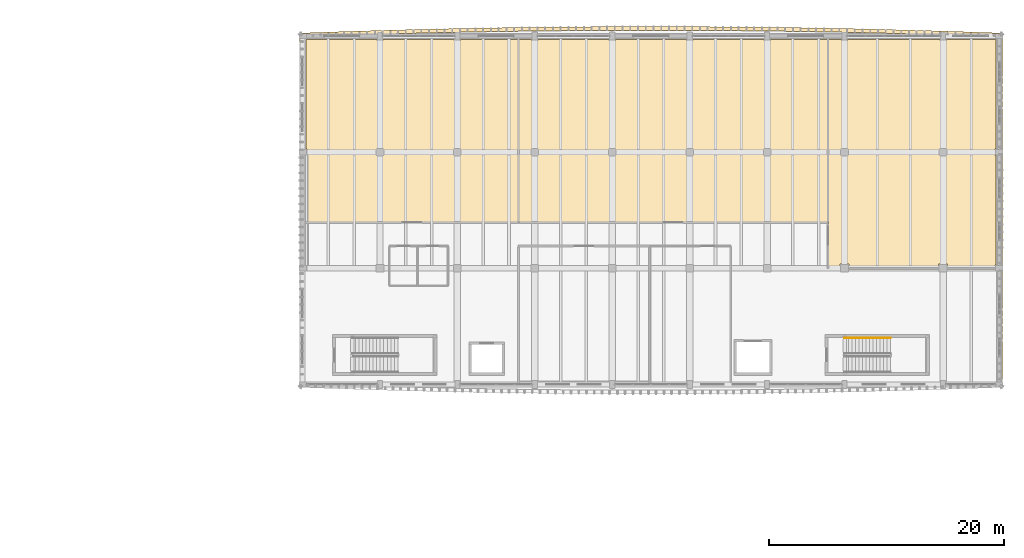
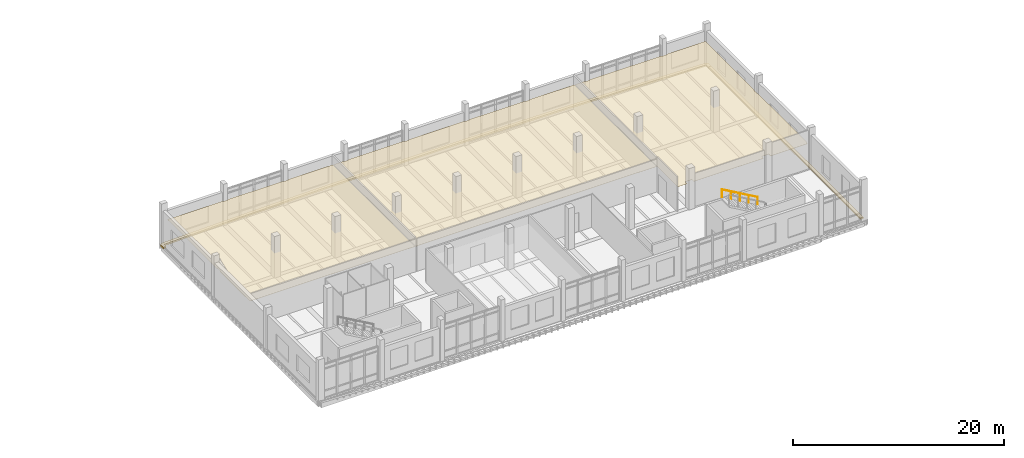
# One storey, part 42 of 50: 5 coverings, 1 railing.
"""IFC4 building model written with IfcOpenShell, lengths in metres."""

from ifc_helpers import new_model, si_unit, direction, frame, origin, origin_2d, place, context, subcontext, project, spatial, polyline, circle, outline, extrude, material, layer, layer_set, type_object, element, save


model = new_model("IFC4")

# Units and contexts
model_context = context("Model", 3, precision=1e-05, world=origin(), true_north=direction((0.0, 1.0)))
body_context = subcontext(model_context, "Body", "Model", "MODEL_VIEW")
ifc_project = project(units=[si_unit("LENGTHUNIT", "METRE"), si_unit("AREAUNIT", "SQUARE_METRE"), si_unit("VOLUMEUNIT", "CUBIC_METRE"), si_unit("PLANEANGLEUNIT", "RADIAN"), si_unit("MASSUNIT", "GRAM", prefix="KILO")], contexts=[model_context])

# Site, building, storey
site_placement = place(None, origin())
site = spatial("IfcSite", under=ifc_project, at=site_placement, CompositionType="ELEMENT")
building_placement = place(site_placement, origin())
building = spatial("IfcBuilding", under=site, at=building_placement, Name="Dornvale Research Institute", CompositionType="ELEMENT")
storey_placement = place(building_placement, frame((0.0, 0.0, 19.800048828125)))
storey = spatial("IfcBuildingStorey", under=building, at=storey_placement, Name="L04", CompositionType="ELEMENT", Elevation=19.800048828125)

# Coverings
ifc_material_1 = material(Name="Mineral-Fibre Acoustic Lay-In Ceiling Tile System")
ifc_layer_1 = layer(ifc_material_1, 0.02001953125)
ifc_layer_set_1 = layer_set([ifc_layer_1], Name="Mineral-Fibre Acoustic Lay-In Ceiling Tile System")
covering_type_1 = type_object("IfcCoveringType", Name="Covering_Acoustic_Ceiling", PredefinedType="CEILING", material=ifc_layer_set_1)
covering_1_placement = place(storey_placement, frame((0.0, 0.0, 2.849853515625)))
element("IfcCovering", 1, at=covering_1_placement, inside=storey, type_object=covering_type_1, Name="L04 Environmental Geochemistry Wet Laboratory suspended ceiling", PredefinedType="CEILING", context=body_context, shape_type="SweptSolid", body=[
    extrude(outline(polyline([(119.10009765625, 112.47509765625), (119.10009765625, 121.800048828125), (125.125, 121.800048828125), (125.125, 121.72509765625), (125.675048828125, 121.72509765625), (125.675048828125, 121.800048828125), (131.72509765625, 121.800048828125), (131.72509765625, 121.72509765625), (132.27490234375, 121.72509765625), (132.27490234375, 121.800048828125), (137.179931640625, 121.800048828125), (137.179931640625, 106.219970703125), (119.10009765625, 106.219970703125), (119.10009765625, 111.925048828125), (119.175048828125, 111.925048828125), (119.175048828125, 112.47509765625), (119.10009765625, 112.47509765625)])), origin(), (0.0, 0.0, 1.0), 0.02001953125),
])
covering_2_placement = place(storey_placement, frame((0.0, 0.0, 2.849853515625)))
element("IfcCovering", 2, at=covering_2_placement, inside=storey, type_object=covering_type_1, Name="L04 Biomolecular NMR Spectroscopy Suite suspended ceiling", PredefinedType="CEILING", context=body_context, shape_type="SweptSolid", body=[
    extrude(outline(polyline([(138.875, 121.72509765625), (138.875, 121.800048828125), (144.925048828125, 121.800048828125), (144.925048828125, 121.72509765625), (145.47509765625, 121.72509765625), (145.47509765625, 121.800048828125), (151.52490234375, 121.800048828125), (151.52490234375, 121.72509765625), (152.074951171875, 121.72509765625), (152.074951171875, 121.800048828125), (158.125, 121.800048828125), (158.125, 121.72509765625), (158.675048828125, 121.72509765625), (158.675048828125, 121.800048828125), (163.580078125, 121.800048828125), (163.580078125, 106.219970703125), (137.219970703125, 106.219970703125), (137.219970703125, 121.800048828125), (138.324951171875, 121.800048828125), (138.324951171875, 121.72509765625), (138.875, 121.72509765625)])), origin(), (0.0, 0.0, 1.0), 0.02001953125),
])
covering_3_placement = place(storey_placement, frame((0.0, 0.0, 2.849853515625)))
element("IfcCovering", 3, at=covering_3_placement, inside=storey, type_object=covering_type_1, Name="L04 Isotope Preparation and Seminar Room L04 suspended ceiling", PredefinedType="CEILING", context=body_context, shape_type="SweptSolid", body=[
    extrude(outline(polyline([(165.27490234375, 121.72509765625), (165.27490234375, 121.800048828125), (173.125, 121.800048828125), (173.125, 121.72509765625), (173.675048828125, 121.72509765625), (173.675048828125, 121.800048828125), (177.89990234375, 121.800048828125), (177.89990234375, 112.47509765625), (177.824951171875, 112.47509765625), (177.824951171875, 111.925048828125), (177.89990234375, 111.925048828125), (177.89990234375, 102.574951171875), (177.824951171875, 102.574951171875), (177.824951171875, 102.320068359375), (173.77490234375, 102.320068359375), (173.77490234375, 102.675048828125), (173.02490234375, 102.675048828125), (173.02490234375, 102.320068359375), (165.375, 102.320068359375), (165.375, 102.675048828125), (164.625, 102.675048828125), (164.625, 102.320068359375), (163.6201171875, 102.320068359375), (163.6201171875, 121.800048828125), (164.72509765625, 121.800048828125), (164.72509765625, 121.72509765625), (165.27490234375, 121.72509765625)])), origin(), (0.0, 0.0, 1.0), 0.02001953125),
])
ifc_material_2 = material(Name="Polychrome Glazed Terracotta Visor Rib Ceramic", Category="masonry")
ifc_layer_2 = layer(ifc_material_2, 0.179931640625)
ifc_layer_set_2 = layer_set([ifc_layer_2], Name="Polychrome Glazed Terracotta Visor Rib Ceramic")
covering_type_2 = type_object("IfcCoveringType", Name="Covering_VisorBrim_LowShelf", PredefinedType="CLADDING", material=ifc_layer_set_2)
covering_4_placement = place(storey_placement, frame((0.0, 0.0, -0.260009765625)))
element("IfcCovering", 4, at=covering_4_placement, inside=storey, type_object=covering_type_2, Name="L04 V4 canted bowed-brim visor hood #57", PredefinedType="CLADDING", context=body_context, shape_type="SweptSolid", body=[
    extrude(outline(polyline([(118.5595703125, 122.197021484375), (118.613525390625, 122.280029296875), (118.6943359375, 122.336669921875), (118.790771484375, 122.35888671875), (120.440673828125, 122.41845703125), (120.441162109375, 122.41845703125), (122.09130859375, 122.474609375), (122.091796875, 122.474609375), (123.74169921875, 122.527099609375), (123.7421875, 122.527099609375), (125.392333984375, 122.576416015625), (125.392822265625, 122.576416015625), (127.042724609375, 122.622314453125), (127.043212890625, 122.622314453125), (128.693359375, 122.664794921875), (128.69384765625, 122.664794921875), (130.343994140625, 122.70361328125), (130.344482421875, 122.70361328125), (131.994384765625, 122.7392578125), (131.994873046875, 122.739501953125), (133.64501953125, 122.771728515625), (133.6455078125, 122.771728515625), (135.29541015625, 122.800537109375), (135.2958984375, 122.800537109375), (136.946044921875, 122.825927734375), (136.946533203125, 122.825927734375), (138.596435546875, 122.84814453125), (138.59716796875, 122.84814453125), (140.2470703125, 122.86669921875), (140.24755859375, 122.86669921875), (141.897705078125, 122.882080078125), (141.898193359375, 122.882080078125), (143.548095703125, 122.893798828125), (143.548583984375, 122.893798828125), (145.19873046875, 122.90234375), (145.19921875, 122.90234375), (146.84912109375, 122.907470703125), (146.849609375, 122.907470703125), (148.499755859375, 122.9091796875), (148.500244140625, 122.9091796875), (150.150390625, 122.907470703125), (150.15087890625, 122.907470703125), (151.80078125, 122.90234375), (151.80126953125, 122.90234375), (153.451416015625, 122.893798828125), (153.451904296875, 122.893798828125), (155.101806640625, 122.882080078125), (155.102294921875, 122.882080078125), (156.75244140625, 122.86669921875), (156.7529296875, 122.86669921875), (158.40283203125, 122.84814453125), (158.403564453125, 122.84814453125), (160.053466796875, 122.825927734375), (160.053955078125, 122.825927734375), (161.7041015625, 122.800537109375), (161.70458984375, 122.800537109375), (163.3544921875, 122.771728515625), (163.35498046875, 122.771728515625), (165.005126953125, 122.739501953125), (165.005615234375, 122.7392578125), (166.655517578125, 122.70361328125), (166.656005859375, 122.70361328125), (168.30615234375, 122.664794921875), (168.306640625, 122.664794921875), (169.956787109375, 122.622314453125), (169.957275390625, 122.622314453125), (171.607177734375, 122.576416015625), (171.607666015625, 122.576416015625), (173.2578125, 122.527099609375), (173.25830078125, 122.527099609375), (174.908203125, 122.474609375), (174.90869140625, 122.474609375), (176.558837890625, 122.41845703125), (176.559326171875, 122.41845703125), (178.209228515625, 122.35888671875), (178.3056640625, 122.336669921875), (178.386474609375, 122.280029296875), (178.4404296875, 122.197021484375), (178.459228515625, 122.10009765625), (178.459228515625, 121.64990234375), (178.139892578125, 121.64990234375), (178.139892578125, 122.0419921875), (176.5478515625, 122.099365234375), (174.89794921875, 122.155517578125), (173.248046875, 122.2080078125), (171.598388671875, 122.25732421875), (169.948486328125, 122.302978515625), (168.298583984375, 122.345703125), (166.648681640625, 122.384521484375), (164.998779296875, 122.420166015625), (163.348876953125, 122.452392578125), (161.698974609375, 122.4814453125), (160.049072265625, 122.5068359375), (158.3994140625, 122.52880859375), (156.74951171875, 122.547607421875), (155.099609375, 122.562744140625), (153.44970703125, 122.57470703125), (151.7998046875, 122.583251953125), (150.14990234375, 122.58837890625), (148.5, 122.590087890625), (146.85009765625, 122.58837890625), (145.2001953125, 122.583251953125), (143.55029296875, 122.57470703125), (141.900390625, 122.562744140625), (140.25048828125, 122.547607421875), (138.6005859375, 122.52880859375), (136.950927734375, 122.5068359375), (135.301025390625, 122.4814453125), (133.651123046875, 122.452392578125), (132.001220703125, 122.420166015625), (130.351318359375, 122.384521484375), (128.701416015625, 122.345703125), (127.051513671875, 122.302978515625), (125.401611328125, 122.25732421875), (123.751953125, 122.2080078125), (122.10205078125, 122.155517578125), (120.4521484375, 122.099365234375), (118.860107421875, 122.0419921875), (118.860107421875, 121.64990234375), (118.540771484375, 121.64990234375), (118.540771484375, 122.10009765625), (118.5595703125, 122.197021484375)])), origin(), (0.0, 0.0, 1.0), 0.179931640625),
])
covering_5_placement = place(storey_placement, frame((0.0, 0.0, -0.260009765625)))
element("IfcCovering", 5, at=covering_5_placement, inside=storey, type_object=covering_type_2, Name="L04 V4 canted bowed-brim visor hood #59", PredefinedType="CLADDING", context=body_context, shape_type="SweptSolid", body=[
    extrude(outline(polyline([(178.459228515625, 92.85009765625), (178.139892578125, 92.85009765625), (178.139892578125, 121.64990234375), (178.459228515625, 121.64990234375), (178.459228515625, 92.85009765625)])), origin(), (0.0, 0.0, 1.0), 0.179931640625),
])

# Railing
ifc_material_3 = material(Name="Galvanized Painted Tubular Steel Stair Rail", Category="steel")
ifc_layer_3 = layer(ifc_material_3, 0.044921875)
ifc_layer_set_3 = layer_set([ifc_layer_3], Name="Galvanized Painted Tubular Steel Stair Rail")
railing_type = type_object("IfcRailingType", Name="Railing_Stair_Handrail_900", PredefinedType="HANDRAIL", material=ifc_layer_set_3)
railing_placement = place(storey_placement, frame((168.919921875, 96.35009765625, 2.5712890625)))
element("IfcRailing", 6, at=railing_placement, inside=storey, type_object=railing_type, Name="L04 ST-4 stair handrail 2", PredefinedType="HANDRAIL", context=body_context, shape_type="SweptSolid", body=[
    extrude(circle(Radius=0.02392578125, at=origin_2d()), frame((0.0, 0.0, 0.8759765625), z_axis=(-0.868219727965, 0.0, 0.496179910892), x_axis=(0.0, -1.0, 0.0)), (0.0, 0.0, 1.0), 4.491943359375),
    extrude(circle(Radius=0.02099609375, at=origin_2d()), origin(), (0.0, 0.0, 1.0), 0.851806640625),
    extrude(circle(Radius=0.02099609375, at=origin_2d()), frame((-0.97509765625, 0.0, 0.55712890625)), (0.0, 0.0, 1.0), 0.851806640625),
    extrude(circle(Radius=0.02099609375, at=origin_2d()), frame((-1.949951171875, 0.0, 1.1142578125)), (0.0, 0.0, 1.0), 0.851806640625),
    extrude(circle(Radius=0.02099609375, at=origin_2d()), frame((-2.9248046875, 0.0, 1.671630859375)), (0.0, 0.0, 1.0), 0.851806640625),
    extrude(circle(Radius=0.02099609375, at=origin_2d()), frame((-3.89990234375, 0.0, 2.228759765625)), (0.0, 0.0, 1.0), 0.851806640625),
])

save(model, "model.ifc")
